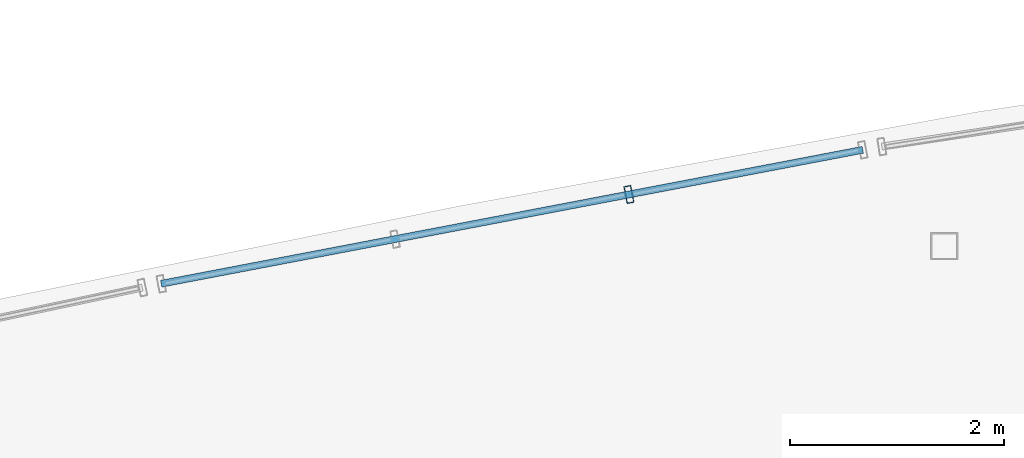
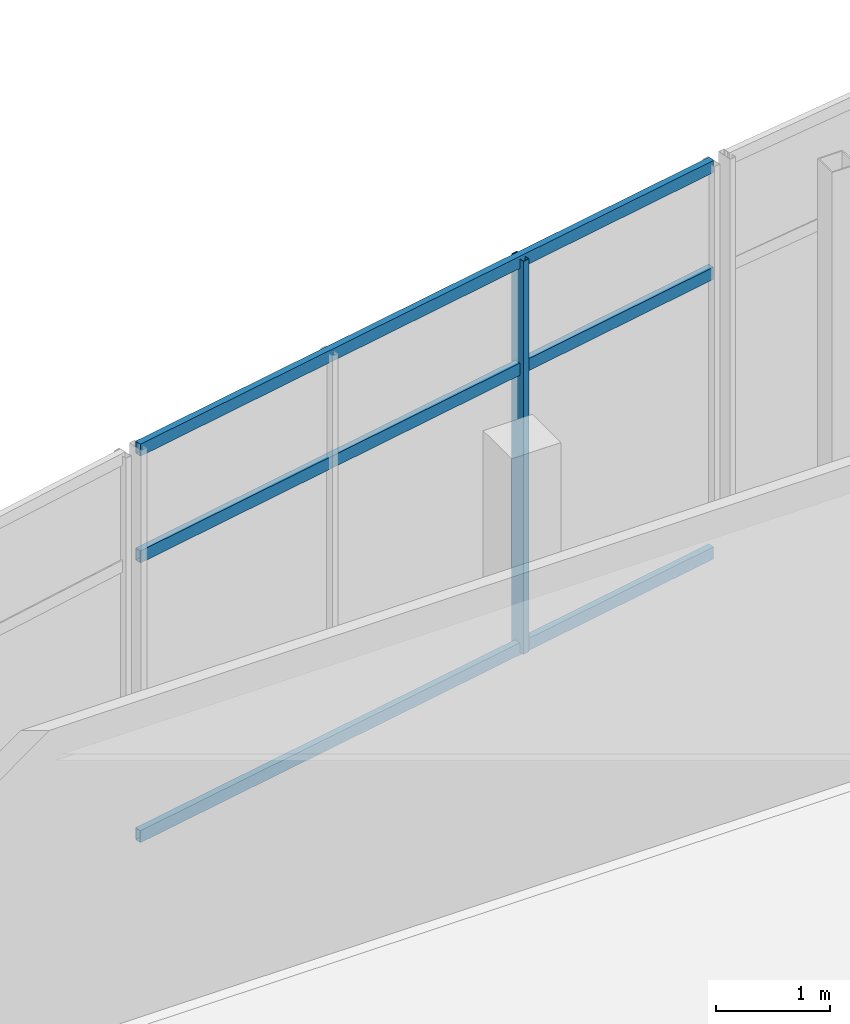
# One storey, part 56 of 114: 4 members, 1 element without a shape of its own.
"""IFC4 building model written with IfcOpenShell, lengths in metres."""

from ifc_helpers import new_model, si_unit, direction, frame, origin, origin_2d, place, context, subcontext, project, spatial, hollow_rectangle, extrude, material, layer, layer_set, material_profile, profile_set, type_object, element, aggregate, save


model = new_model("IFC4")

# Units and contexts
model_context = context("Model", 3, precision=1e-05, world=origin(), true_north=direction((0.0, 1.0)))
body_context = subcontext(model_context, "Body", "Model", "MODEL_VIEW")
ifc_project = project(units=[si_unit("LENGTHUNIT", "METRE"), si_unit("AREAUNIT", "SQUARE_METRE"), si_unit("VOLUMEUNIT", "CUBIC_METRE"), si_unit("PLANEANGLEUNIT", "RADIAN"), si_unit("MASSUNIT", "GRAM", prefix="KILO")], contexts=[model_context])

# Site, building, storey
site_placement = place(None, origin())
site = spatial("IfcSite", under=ifc_project, at=site_placement, CompositionType="ELEMENT")
building_placement = place(site_placement, origin())
building = spatial("IfcBuilding", under=site, at=building_placement, Name="Chalmorin Arch Market", CompositionType="ELEMENT")
storey_placement = place(building_placement, frame((0.0, 0.0, 9.60009765625)))
storey = spatial("IfcBuildingStorey", under=building, at=storey_placement, Name="L02", CompositionType="ELEMENT", Elevation=9.60009765625)

# Curtain wall, members
ifc_material = material(Name="Aluminium 6063-T6", Category="aluminium")
ifc_layer = layer(ifc_material, 0.159912109375)
ifc_layer_set = layer_set([ifc_layer], Name="Aluminium 6063-T6")
curtain_wall_type = type_object("IfcCurtainWallType", Name="CulinaryStudioCurtainWall-CW3-6660x4220", PredefinedType="NOTDEFINED", material=ifc_layer_set)
curtain_wall_placement = place(storey_placement, origin())
curtain_wall = element("IfcCurtainWall", 1, at=curtain_wall_placement, inside=storey, type_object=curtain_wall_type, Name="CW-03-125", PredefinedType="NOTDEFINED")
ifc_material_profile_1 = material_profile(ifc_material, hollow_rectangle(XDim=0.06494140625, YDim=0.159912109375, WallThickness=0.00390625, at=origin_2d()), Name="ALU65X160X4")
ifc_profile_set_1 = profile_set([ifc_material_profile_1], Name="Aluminium 6063-T6")
member_type_1 = type_object("IfcMemberType", Name="CurtainWallMullion-65x160", PredefinedType="MULLION", material=ifc_profile_set_1)
member_1_placement = place(storey_placement, frame((59.17041015625, 120.750732421875, 0.0), z_axis=(0.0, 0.0, 1.0), x_axis=(0.981627183448, 0.190808995377, 0.0)))
member_1 = element("IfcMember", 2, at=member_1_placement, type_object=member_type_1, Name="ML-125-03", PredefinedType="MULLION", context=body_context, shape_type="SweptSolid", body=[
    extrude(hollow_rectangle(XDim=0.06494140625, YDim=0.159912109375, WallThickness=0.00390625, at=origin_2d()), origin(), (0.0, 0.0, 1.0), 4.219970703125),
])
ifc_material_profile_2 = material_profile(ifc_material, hollow_rectangle(XDim=0.06494140625, YDim=0.1298828125, WallThickness=0.00390625, at=origin_2d()), Name="ALU65X130X4")
ifc_profile_set_2 = profile_set([ifc_material_profile_2], Name="Aluminium 6063-T6")
member_type_2 = type_object("IfcMemberType", Name="CurtainWallTransom-65x130", PredefinedType="USERDEFINED", material=ifc_profile_set_2)
member_2_placement = place(storey_placement, frame((54.808349609375, 119.91796875, 0.034912109375), z_axis=(0.982264065399, 0.187502815514, 0.0), x_axis=(-0.187502815514, 0.982264065399, 0.0)))
member_2 = element("IfcMember", 3, at=member_2_placement, type_object=member_type_2, Name="TR-125-01", ObjectType="TRANSOM", PredefinedType="USERDEFINED", context=body_context, shape_type="SweptSolid", body=[
    extrude(hollow_rectangle(XDim=0.06494140625, YDim=0.1298828125, WallThickness=0.00390625, at=origin_2d()), origin(), (0.0, 0.0, 1.0), 6.661376953125),
])
member_3_placement = place(storey_placement, frame((54.808349609375, 119.91796875, 3.038330078125), z_axis=(0.982264065399, 0.187502815514, 0.0), x_axis=(-0.187502815514, 0.982264065399, 0.0)))
member_3 = element("IfcMember", 4, at=member_3_placement, type_object=member_type_2, Name="TR-125-02", ObjectType="TRANSOM", PredefinedType="USERDEFINED", context=body_context, shape_type="SweptSolid", body=[
    extrude(hollow_rectangle(XDim=0.06494140625, YDim=0.1298828125, WallThickness=0.00390625, at=origin_2d()), origin(), (0.0, 0.0, 1.0), 6.661376953125),
])
member_4_placement = place(storey_placement, frame((54.808349609375, 119.91796875, 4.184814453125), z_axis=(0.982264065399, 0.187502815514, 0.0), x_axis=(-0.187502815514, 0.982264065399, 0.0)))
member_4 = element("IfcMember", 5, at=member_4_placement, type_object=member_type_2, Name="TR-125-03", ObjectType="TRANSOM", PredefinedType="USERDEFINED", context=body_context, shape_type="SweptSolid", body=[
    extrude(hollow_rectangle(XDim=0.06494140625, YDim=0.1298828125, WallThickness=0.00390625, at=origin_2d()), origin(), (0.0, 0.0, 1.0), 6.661376953125),
])
aggregate(curtain_wall, [member_1, member_2, member_3, member_4])

save(model, "model.ifc")
